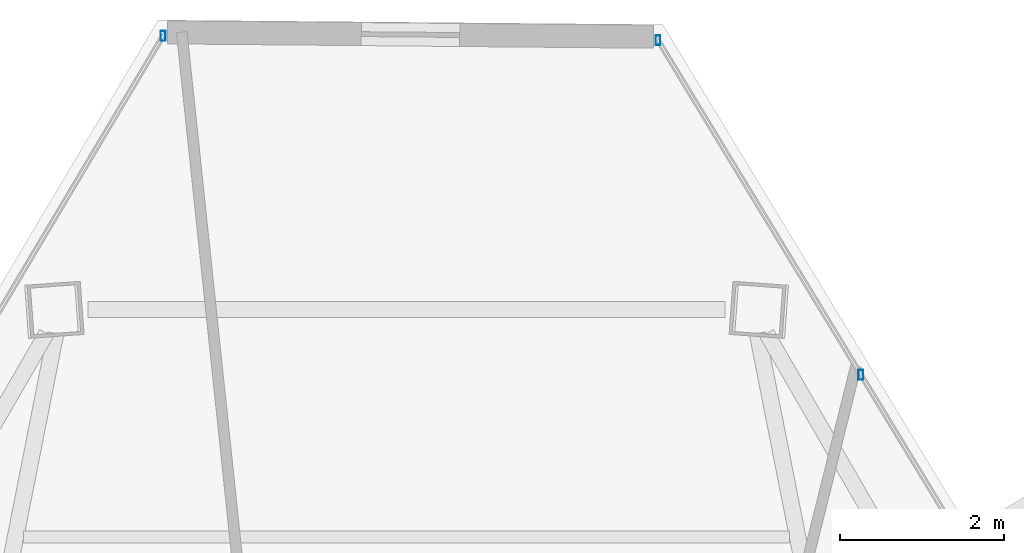
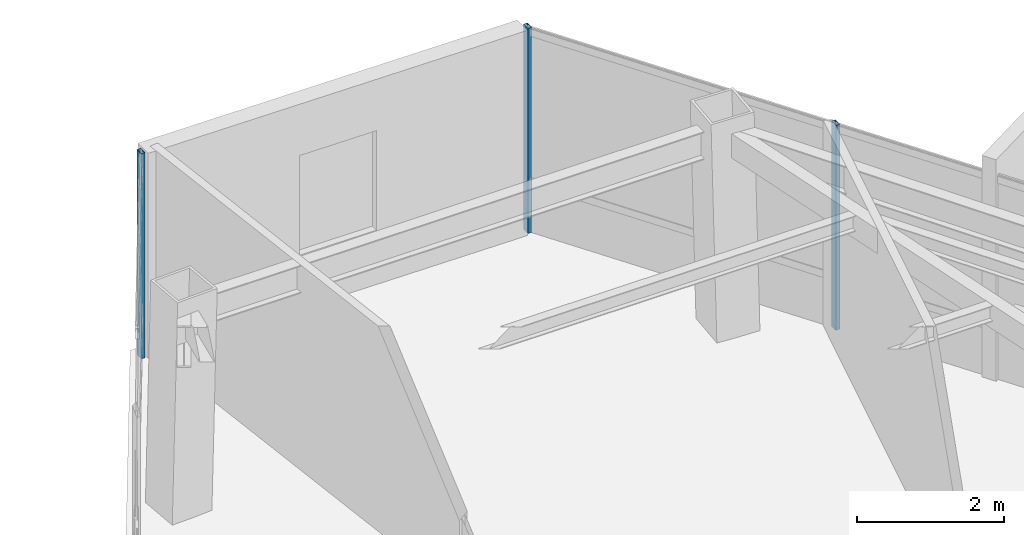
# One storey, part 35 of 46: 3 members, 2 elements without a shape of their own.
"""IFC4 building model written with IfcOpenShell, lengths in metres."""

from ifc_helpers import new_model, si_unit, direction, frame, origin, origin_2d, place, context, subcontext, project, spatial, hollow_rectangle, extrude, source, transform, mapped, material, material_profile, profile_set, type_object, type_shapes, element, aggregate, save


model = new_model("IFC4")

# Units and contexts
model_context = context("Model", 3, precision=1e-05, world=origin(), true_north=direction((0.0, 1.0)))
body_context = subcontext(model_context, "Body", "Model", "MODEL_VIEW")
ifc_project = project(units=[si_unit("LENGTHUNIT", "METRE"), si_unit("AREAUNIT", "SQUARE_METRE"), si_unit("VOLUMEUNIT", "CUBIC_METRE"), si_unit("PLANEANGLEUNIT", "RADIAN"), si_unit("MASSUNIT", "GRAM", prefix="KILO")], contexts=[model_context])

# Site, building, storey
site_placement = place(None, origin())
site = spatial("IfcSite", under=ifc_project, at=site_placement, CompositionType="ELEMENT")
building_placement = place(site_placement, origin())
building = spatial("IfcBuilding", under=site, at=building_placement, Name="Caelisora Broadcast Tower", CompositionType="ELEMENT")
storey_placement = place(building_placement, frame((0.0, 0.0, 237.14990234375)))
storey = spatial("IfcBuildingStorey", under=building, at=storey_placement, Name="L62", CompositionType="ELEMENT", Elevation=237.14990234375)

# Curtain wall, members
ifc_material_1 = material(Name="Unitised Aluminium and Low-E Glass Curtain Wall", Category="glass")
curtain_wall_type = type_object("IfcCurtainWallType", Name="CW-Z5", PredefinedType="NOTDEFINED", material=ifc_material_1)
curtain_wall_1_placement = place(storey_placement, origin())
curtain_wall_1 = element("IfcCurtainWall", 1, at=curtain_wall_1_placement, inside=storey, type_object=curtain_wall_type, Name="L62 curtain wall CW-Z5", PredefinedType="NOTDEFINED")
ifc_material_2 = material(Name="Aluminium 6063-T6 Anodised Terracotta Bronze", Category="aluminium")
ifc_material_profile = material_profile(ifc_material_2, hollow_rectangle(XDim=0.06005859375, YDim=0.1201171875, WallThickness=0.0029296875, at=origin_2d()), Name="Aluminium 6063-T6 Anodised Terracotta Bronze")
ifc_profile_set = profile_set([ifc_material_profile], Name="Aluminium 6063-T6 Anodised Terracotta Bronze")
member_type = type_object("IfcMemberType", Name="CWM-04", PredefinedType="MULLION", material=ifc_profile_set)
shared_shape = source(origin(), body_context, "Body", "SweptSolid", [
    extrude(hollow_rectangle(XDim=0.06005859375, YDim=0.1201171875, WallThickness=0.0029296875, at=origin_2d()), origin(), (0.0, 0.0, 1.0), 3.400146484375),
])
type_shapes(member_type, [shared_shape])
member_1_placement = place(storey_placement, frame((41.06396484375, 49.92724609375, 0.0), z_axis=(0.0, 0.0, 1.0), x_axis=(1.0, 0.0, 0.0)))
member_1 = element("IfcMember", 2, at=member_1_placement, type_object=member_type, Name="L62-CW-B01 mullion #0", PredefinedType="MULLION", context=body_context, shape_type="MappedRepresentation", body=[
    mapped(shared_shape, transform((0.0, 0.0, 0.0), scale=1.0)),
])
member_2_placement = place(storey_placement, frame((43.537109375, 45.849365234375, 0.0), z_axis=(0.0, 0.0, 1.0), x_axis=(1.0, 0.0, 0.0)))
member_2 = element("IfcMember", 3, at=member_2_placement, type_object=member_type, Name="L62-CW-B01 mullion #1", PredefinedType="MULLION", context=body_context, shape_type="MappedRepresentation", body=[
    mapped(shared_shape, transform((0.0, 0.0, 0.0), scale=1.0)),
])
aggregate(curtain_wall_1, [member_1, member_2])

# Curtain wall, member
curtain_wall_2_placement = place(storey_placement, origin())
curtain_wall_2 = element("IfcCurtainWall", 4, at=curtain_wall_2_placement, inside=storey, type_object=curtain_wall_type, Name="L62 curtain wall CW-Z5", PredefinedType="NOTDEFINED")
member_3_placement = place(storey_placement, frame((35.032470703125, 49.97998046875, 0.0), z_axis=(0.0, 0.0, 1.0), x_axis=(1.0, 0.0, 0.0)))
member_3 = element("IfcMember", 5, at=member_3_placement, type_object=member_type, Name="L62-CW-B11 mullion #3", PredefinedType="MULLION", context=body_context, shape_type="MappedRepresentation", body=[
    mapped(shared_shape, transform((0.0, 0.0, 0.0), scale=1.0)),
])
aggregate(curtain_wall_2, [member_3])

save(model, "model.ifc")
